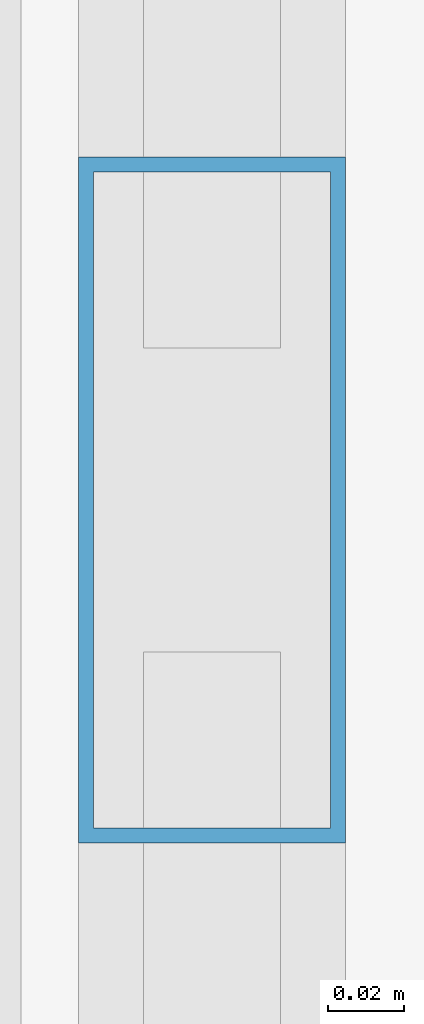
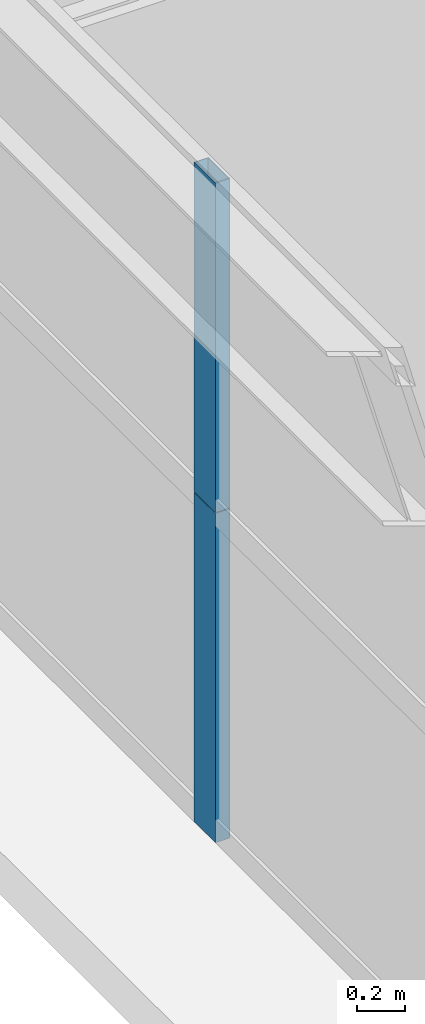
# One storey, part 7 of 38: 2 members, 1 element without a shape of its own.
"""IFC4 building model written with IfcOpenShell, lengths in metres."""

import ifcopenshell
import ifcopenshell.guid

model = None  # the IFC model being written
_history = None  # IfcOwnerHistory: only IFC2X3 demands one
_inside = {}  # id of a spatial element -> (the spatial element, [elements in it])
_under = {}  # id of a project, library or spatial element -> (it, [spatial elements below it])
_declared = {}  # id of a project -> (the project, [libraries it declares])
_typed = {}  # id of a type object -> (the type object, [elements of that type])
_made_of = {}  # id of a material, layer set ... -> (it, [elements and type objects made of it])


def new_model(schema):
    """Start an empty IFC model of exactly this schema.

    Asked for "IFC4X3", IfcOpenShell would pick the latest addendum, in which some entities
    have other attributes; the version numbers below select the first issue.
    IFC2X3 requires an IfcOwnerHistory on every rooted entity: one is made here for all.
    """
    global model, _history
    if schema == "IFC4X3":
        model = ifcopenshell.file(schema_version=(4, 3, 0, 0))
    else:
        model = ifcopenshell.file(schema=schema)
    _inside.clear()
    _under.clear()
    _declared.clear()
    _typed.clear()
    _made_of.clear()
    _history = None
    if model.schema == "IFC2X3":
        org = make("IfcOrganization", Name="unknown")
        user = make(
            "IfcPersonAndOrganization",
            ThePerson=make("IfcPerson", FamilyName="unknown"),
            TheOrganization=org,
        )
        app = make(
            "IfcApplication",
            ApplicationDeveloper=org,
            Version="unknown",
            ApplicationFullName="unknown",
            ApplicationIdentifier="unknown",
        )
        _history = make(
            "IfcOwnerHistory",
            OwningUser=user,
            OwningApplication=app,
            ChangeAction="ADDED",
            CreationDate=0,
        )
    return model


def make(cls, **values):
    """One entity of the class cls with the attributes given. An attribute that is None is left unset."""
    return model.create_entity(
        cls, **{name: value for name, value in values.items() if value is not None}
    )


def rooted(cls, **values):
    """An entity with a GlobalId (a new one), such as an element, a storey or a relation."""
    return make(cls, GlobalId=ifcopenshell.guid.new(), OwnerHistory=_history, **values)


def si_unit(unit_type, name, prefix=None):
    """IfcSIUnit, for example si_unit("LENGTHUNIT", "METRE", prefix="MILLI")."""
    return make("IfcSIUnit", UnitType=unit_type, Prefix=prefix, Name=name)


def assignment(units):
    """IfcUnitAssignment: the units of a project."""
    return None if units is None else make("IfcUnitAssignment", Units=units)


def point(xyz):
    """IfcCartesianPoint."""
    return None if xyz is None else make("IfcCartesianPoint", Coordinates=xyz)


def direction(xyz):
    """IfcDirection."""
    return None if xyz is None else make("IfcDirection", DirectionRatios=xyz)


def frame(location, z_axis=None, x_axis=None):
    """IfcAxis2Placement3D, a coordinate frame: its origin and axes. An axis left out is left unset."""
    return make(
        "IfcAxis2Placement3D",
        Location=point(location),
        Axis=direction(z_axis),
        RefDirection=direction(x_axis),
    )


def frame_2d(location, x_axis=None):
    """IfcAxis2Placement2D, a coordinate frame in the plane: its origin and x axis."""
    return make(
        "IfcAxis2Placement2D", Location=point(location), RefDirection=direction(x_axis)
    )


def origin():
    """The frame at (0, 0, 0) with its axes left unset."""
    return frame((0.0, 0.0, 0.0))


def origin_2d():
    """The frame at (0, 0) in the plane with its x axis left unset."""
    return frame_2d((0.0, 0.0))


def place(relative_to, where):
    """IfcLocalPlacement: puts the frame where relative to a parent placement (None: the world)."""
    return make(
        "IfcLocalPlacement", PlacementRelTo=relative_to, RelativePlacement=where
    )


def context(
    kind, dimensions, precision=None, world=None, true_north=None, identifier=None
):
    """IfcGeometricRepresentationContext, for example the 3D "Model" context."""
    return make(
        "IfcGeometricRepresentationContext",
        ContextIdentifier=identifier,
        ContextType=kind,
        CoordinateSpaceDimension=dimensions,
        Precision=precision,
        WorldCoordinateSystem=world,
        TrueNorth=true_north,
    )


def subcontext(parent, identifier, kind, view, scale=None):
    """IfcGeometricRepresentationSubContext, for example "Body" below "Model"."""
    return make(
        "IfcGeometricRepresentationSubContext",
        ContextIdentifier=identifier,
        ContextType=kind,
        ParentContext=parent,
        TargetScale=scale,
        TargetView=view,
    )


def project(units=None, contexts=None):
    """IfcProject with its units and contexts."""
    return rooted(
        "IfcProject",
        Name="project",
        RepresentationContexts=contexts,
        UnitsInContext=assignment(units),
    )


def spatial(cls, under=None, at=None, **own):
    """A site, building, storey or space (cls), placed at a placement, below another one or the project."""
    s = rooted(cls, ObjectPlacement=at, **own)
    if under is not None:
        _under.setdefault(under.id(), (under, []))[1].append(s)
    return s


def profile(cls, at=None, kind="AREA", **sizes):
    """A parametric profile (cls). Its sizes go by their IFC names, for example OverallWidth=200.0."""
    return make(cls, ProfileType=kind, Position=at, **sizes)


def hollow_rectangle(**sizes):
    """IfcRectangleHollowProfileDef."""
    return profile("IfcRectangleHollowProfileDef", **sizes)


def extrude(swept, where, along, depth):
    """IfcExtrudedAreaSolid: the profile swept, set in the frame where, extruded along a direction by depth."""
    return make(
        "IfcExtrudedAreaSolid",
        SweptArea=swept,
        Position=where,
        ExtrudedDirection=direction(along),
        Depth=depth,
    )


def shape(context_of_items, identifier, shape_type, items):
    """IfcShapeRepresentation: the items that make up one representation, for example the "Body"."""
    return make(
        "IfcShapeRepresentation",
        ContextOfItems=context_of_items,
        RepresentationIdentifier=identifier,
        RepresentationType=shape_type,
        Items=items,
    )


def source(mapping_origin, context_of_items, identifier, shape_type, items):
    """IfcRepresentationMap: a shape defined once, which mapped items show again and again."""
    return make(
        "IfcRepresentationMap",
        MappingOrigin=mapping_origin,
        MappedRepresentation=shape(context_of_items, identifier, shape_type, items),
    )


def transform(
    local_origin,
    x_axis=None,
    y_axis=None,
    z_axis=None,
    scale=None,
    scale2=None,
    scale3=None,
    uniform=True,
):
    """IfcCartesianTransformationOperator3D, or its non-uniform kind. x_axis, y_axis, z_axis: its Axis1, 2, 3."""
    if uniform:
        return make(
            "IfcCartesianTransformationOperator3D",
            Axis1=direction(x_axis),
            Axis2=direction(y_axis),
            LocalOrigin=point(local_origin),
            Scale=scale,
            Axis3=direction(z_axis),
        )
    return make(
        "IfcCartesianTransformationOperator3DnonUniform",
        Axis1=direction(x_axis),
        Axis2=direction(y_axis),
        LocalOrigin=point(local_origin),
        Scale=scale,
        Axis3=direction(z_axis),
        Scale2=scale2,
        Scale3=scale3,
    )


def mapped(mapping_source, mapping_target):
    """IfcMappedItem: shows the shape of a source again, moved by a transform."""
    return make(
        "IfcMappedItem", MappingSource=mapping_source, MappingTarget=mapping_target
    )


def material(Name=None, Category=None):
    """IfcMaterial."""
    return make("IfcMaterial", Name=Name, Category=Category)


def layer(
    of_material, thickness, ventilated=None, Name=None, Category=None, Priority=None
):
    """IfcMaterialLayer: one layer of a wall or slab, of a material (None: an air gap)."""
    return make(
        "IfcMaterialLayer",
        Material=of_material,
        LayerThickness=thickness,
        IsVentilated=ventilated,
        Name=Name,
        Category=Category,
        Priority=Priority,
    )


def layer_set(layers, Name=None):
    """IfcMaterialLayerSet."""
    return make("IfcMaterialLayerSet", MaterialLayers=layers, LayerSetName=Name)


def material_profile(
    of_material, cross_section, Name=None, Category=None, Priority=None
):
    """IfcMaterialProfile: a cross section and its material."""
    return make(
        "IfcMaterialProfile",
        Name=Name,
        Material=of_material,
        Profile=cross_section,
        Priority=Priority,
        Category=Category,
    )


def profile_set(profiles, Name=None, composite=None):
    """IfcMaterialProfileSet."""
    return make(
        "IfcMaterialProfileSet",
        Name=Name,
        MaterialProfiles=profiles,
        CompositeProfile=composite,
    )


def made_of(thing, what):
    """Note that an element or type object is made of a material, layer set ...; save() writes the relation."""
    if what is not None:
        _made_of.setdefault(what.id(), (what, []))[1].append(thing)
    return thing


def type_object(cls, material=None, **own):
    """A type object (cls), such as IfcWallType, which elements share."""
    return made_of(rooted(cls, **own), material)


def element(
    cls,
    number,
    at=None,
    inside=None,
    cuts=None,
    type_object=None,
    material=None,
    context=None,
    identifier="Body",
    shape_type=None,
    held_by="IfcProductDefinitionShape",
    body=None,
    shapes=None,
    **own,
):
    """One element of the class cls, such as IfcWall. Its Tag is "e" and its number.

    at: its placement. inside: the storey or other place that contains it. cuts: it is an
    opening in that element (IfcRelVoidsElement). A single representation is given by context,
    identifier, shape_type and body (its items); several are given by shapes. held_by: the class
    of the entity that holds the representations. save() writes the other relations.
    """
    e = rooted(cls, Tag="e%d" % number, ObjectPlacement=at, **own)
    if body is not None:
        shapes = [shape(context, identifier, shape_type, body)]
    if shapes is not None:
        e.Representation = make(held_by, Representations=shapes)
    if inside is not None:
        _inside.setdefault(inside.id(), (inside, []))[1].append(e)
    if cuts is not None:
        rooted(
            "IfcRelVoidsElement", RelatingBuildingElement=cuts, RelatedOpeningElement=e
        )
    if type_object is not None:
        _typed.setdefault(type_object.id(), (type_object, []))[1].append(e)
    return made_of(e, material)


def aggregate(whole, parts):
    """IfcRelAggregates: a whole, such as a stair, and the parts it consists of."""
    return rooted("IfcRelAggregates", RelatingObject=whole, RelatedObjects=parts)


def save(model, path):
    """Write the relations noted so far, then the file.

    IfcRelAggregates (storeys below a building ...), IfcRelContainedInSpatialStructure (elements
    in a storey), IfcRelDefinesByType, IfcRelAssociatesMaterial and IfcRelDeclares: one each for
    every whole, place, type object, material and project.
    """
    for whole, parts in _under.values():
        aggregate(whole, parts)
    for where, things in _inside.values():
        rooted(
            "IfcRelContainedInSpatialStructure",
            RelatedElements=things,
            RelatingStructure=where,
        )
    for kind, things in _typed.values():
        rooted("IfcRelDefinesByType", RelatedObjects=things, RelatingType=kind)
    for what, things in _made_of.values():
        rooted("IfcRelAssociatesMaterial", RelatedObjects=things, RelatingMaterial=what)
    for by, libraries in _declared.values():
        rooted("IfcRelDeclares", RelatingContext=by, RelatedDefinitions=libraries)
    model.write(path)


model = new_model("IFC4")

# Units and contexts
model_context = context("Model", 3, precision=1e-05, world=origin(), true_north=direction((0.0, 1.0)))
body_context = subcontext(model_context, "Body", "Model", "MODEL_VIEW")
ifc_project = project(units=[si_unit("LENGTHUNIT", "METRE"), si_unit("AREAUNIT", "SQUARE_METRE"), si_unit("VOLUMEUNIT", "CUBIC_METRE"), si_unit("PLANEANGLEUNIT", "RADIAN"), si_unit("MASSUNIT", "GRAM", prefix="KILO"), si_unit("THERMODYNAMICTEMPERATUREUNIT", "KELVIN"), si_unit("POWERUNIT", "WATT")], contexts=[model_context])

# Site, building, storey
site_placement = place(None, origin())
site = spatial("IfcSite", under=ifc_project, at=site_placement, CompositionType="ELEMENT")
building_placement = place(site_placement, origin())
building = spatial("IfcBuilding", under=site, at=building_placement, Name="Yuzanri Waterfront Tower", CompositionType="ELEMENT")
storey_placement = place(building_placement, frame((0.0, 0.0, 97.39990234375)))
storey = spatial("IfcBuildingStorey", under=building, at=storey_placement, Name="L25", CompositionType="ELEMENT", Elevation=97.39990234375)

# Curtain wall, members
ifc_material_1 = material(Name="Anodized Architectural Bronze", Category="metal")
ifc_layer = layer(ifc_material_1, 0.159912109375)
ifc_layer_set = layer_set([ifc_layer], Name="Anodized Architectural Bronze")
curtain_wall_type = type_object("IfcCurtainWallType", Name="Anodized Bronze Hotel Upper-Tier Solar-Control Unitized Curtain Wall 7800", PredefinedType="NOTDEFINED", material=ifc_layer_set)
curtain_wall_placement = place(storey_placement, origin())
curtain_wall = element("IfcCurtainWall", 1, at=curtain_wall_placement, inside=storey, type_object=curtain_wall_type, Name="L25 Curtain Wall CW-L25-WL", PredefinedType="NOTDEFINED")
ifc_material_2 = material(Name="Anodized Architectural Bronze", Category="metal")
ifc_material_profile = material_profile(ifc_material_2, hollow_rectangle(XDim=0.070068359375, YDim=0.179931640625, WallThickness=0.00390625, at=origin_2d()), Name="CWM 70x180")
ifc_profile_set = profile_set([ifc_material_profile], Name="Anodized Architectural Bronze")
member_type = type_object("IfcMemberType", Name="Anodized Bronze Standard Curtain-Wall Mullion 70x180", PredefinedType="MULLION", material=ifc_profile_set)
shared_shape = source(origin(), body_context, "Body", "SweptSolid", [
    extrude(hollow_rectangle(XDim=0.070068359375, YDim=0.179931640625, WallThickness=0.00390625, at=origin_2d()), origin(), (0.0, 0.0, 1.0), 1.68798828125),
])
member_1_placement = place(storey_placement, frame((13.550048828125, 17.449951171875, 0.0), z_axis=(0.0, 0.0, 1.0), x_axis=(1.0, 0.0, 0.0)))
member_1 = element("IfcMember", 2, at=member_1_placement, type_object=member_type, Name="CW-L25-WL Lower Mullion 01", PredefinedType="MULLION", context=body_context, shape_type="MappedRepresentation", body=[
    mapped(shared_shape, transform((0.0, 0.0, 0.0), scale=1.0)),
])
member_2_placement = place(storey_placement, frame((13.550048828125, 17.449951171875, 1.692138671875), z_axis=(0.0, 0.0, 1.0), x_axis=(1.0, 0.0, 0.0)))
member_2 = element("IfcMember", 3, at=member_2_placement, type_object=member_type, Name="CW-L25-WL Upper Mullion 01", PredefinedType="MULLION", context=body_context, shape_type="MappedRepresentation", body=[
    mapped(shared_shape, transform((0.0, 0.0, 0.0), scale=1.0)),
])
aggregate(curtain_wall, [member_1, member_2])

save(model, "model.ifc")
